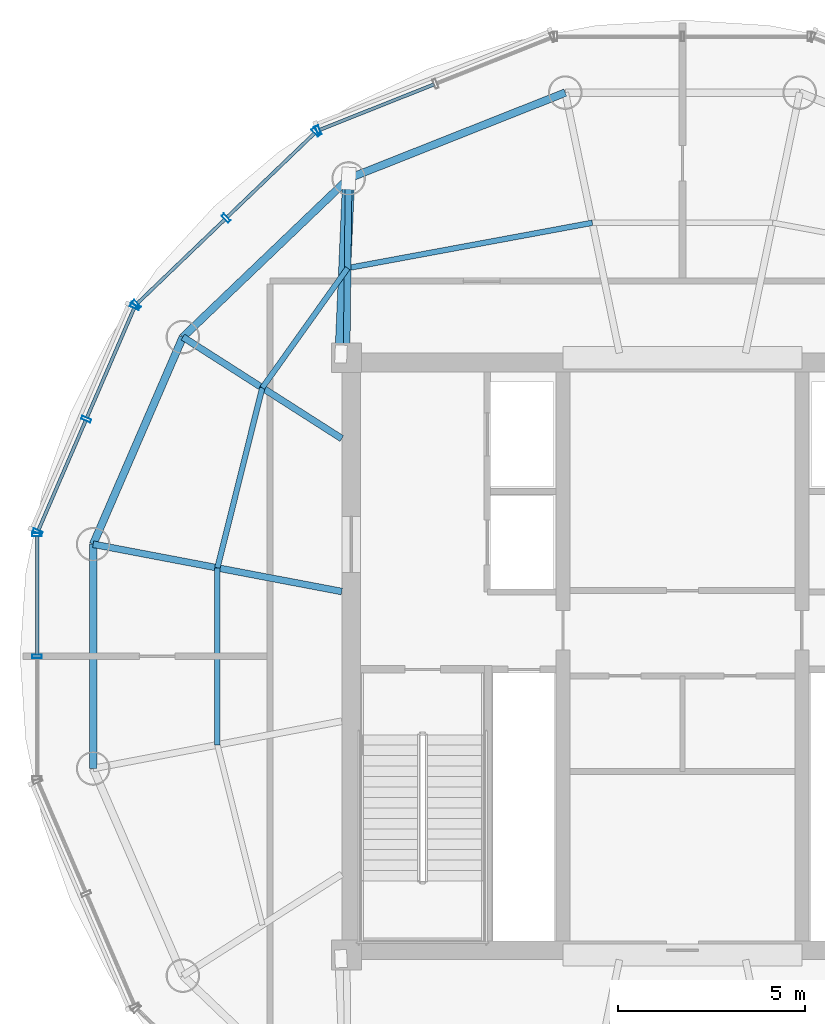
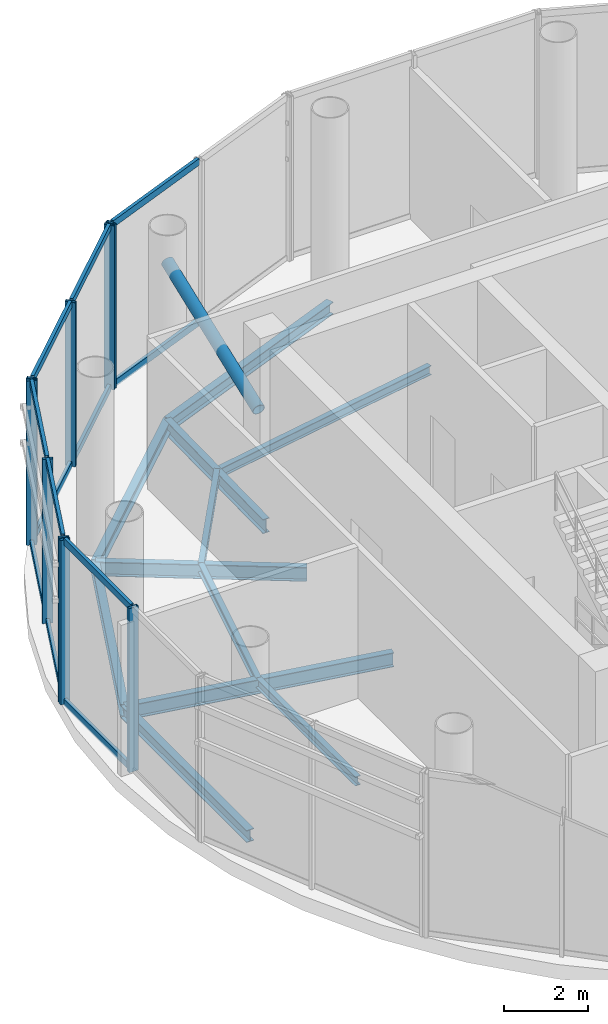
# One storey, part 6 of 15: 22 members, 11 beams, 4 elements without a shape of their own.
"""IFC4 building model written with IfcOpenShell, lengths in metres."""

from ifc_helpers import new_model, si_unit, direction, frame, origin, origin_2d, place, context, subcontext, project, spatial, hollow_rectangle, hollow_circle, i_section, extrude, source, transform, mapped, material, material_profile, profile_set, type_object, element, aggregate, save


model = new_model("IFC4")

# Units and contexts
model_context = context("Model", 3, precision=1e-05, world=origin(), true_north=direction((-0.2419218956, 0.970295726276)))
body_context = subcontext(model_context, "Body", "Model", "MODEL_VIEW")
ifc_project = project(units=[si_unit("LENGTHUNIT", "METRE"), si_unit("AREAUNIT", "SQUARE_METRE"), si_unit("VOLUMEUNIT", "CUBIC_METRE"), si_unit("PLANEANGLEUNIT", "RADIAN"), si_unit("MASSUNIT", "GRAM", prefix="KILO")], contexts=[model_context])

# Site, building, storey
site_placement = place(None, origin())
site = spatial("IfcSite", under=ifc_project, at=site_placement, CompositionType="ELEMENT")
building_placement = place(site_placement, origin())
building = spatial("IfcBuilding", under=site, at=building_placement, Name="Cobrevalo Terracotta Tower", CompositionType="ELEMENT")
storey_placement = place(building_placement, frame((0.0, 0.0, 311.300048828125)))
storey = spatial("IfcBuildingStorey", under=building, at=storey_placement, Name="L81", CompositionType="ELEMENT", Elevation=311.300048828125)

# Beams
ifc_material_1 = material(Name="Steel S355", Category="steel")
ifc_material_profile_1 = material_profile(ifc_material_1, i_section(OverallWidth=0.179931640625, OverallDepth=0.4130859375, WebThickness=0.009765625, FlangeThickness=0.01611328125, at=origin_2d()), Name="W 410x75")
ifc_profile_set_1 = profile_set([ifc_material_profile_1], Name="Steel S355")
beam_type_1 = type_object("IfcBeamType", Name="Structural Beam W 410x75 (Steel S355)", PredefinedType="BEAM", material=ifc_profile_set_1)
beam_1_placement = place(storey_placement, frame((29.055419921875, 39.604736328125, -0.62646484375), z_axis=(-0.01153378561, -0.999933483683, 0.0), x_axis=(0.999933483683, -0.01153378561, 0.0)))
element("IfcBeam", 1, at=beam_1_placement, inside=storey, type_object=beam_type_1, Name="L81 radial floor girder 06", PredefinedType="BEAM", context=body_context, shape_type="SweptSolid", body=[
    extrude(i_section(OverallWidth=0.179931640625, OverallDepth=0.4130859375, WebThickness=0.009765625, FlangeThickness=0.01611328125, at=origin_2d()), origin(), (0.0, 0.0, 1.0), 4.804931640625),
])
beam_2_placement = place(storey_placement, frame((24.61328125, 35.355712890625, -0.62646484375), z_axis=(0.842623166291, -0.538503667239, 0.0), x_axis=(0.538503667239, 0.842623166291, 0.0)))
element("IfcBeam", 2, at=beam_2_placement, inside=storey, type_object=beam_type_1, Name="L81 radial floor girder 07", PredefinedType="BEAM", context=body_context, shape_type="SweptSolid", body=[
    extrude(i_section(OverallWidth=0.179931640625, OverallDepth=0.4130859375, WebThickness=0.009765625, FlangeThickness=0.01611328125, at=origin_2d()), origin(), (0.0, 0.0, 1.0), 5.052001953125),
])
beam_3_placement = place(storey_placement, frame((22.20947265625, 29.804443359375, -0.62646484375), z_axis=(0.982375422254, -0.186918510993, 0.0), x_axis=(0.186918510993, 0.982375422254, 0.0)))
element("IfcBeam", 3, at=beam_3_placement, inside=storey, type_object=beam_type_1, Name="L81 radial floor girder 08", PredefinedType="BEAM", context=body_context, shape_type="SweptSolid", body=[
    extrude(i_section(OverallWidth=0.179931640625, OverallDepth=0.4130859375, WebThickness=0.009765625, FlangeThickness=0.01611328125, at=origin_2d()), origin(), (0.0, 0.0, 1.0), 6.780029296875),
])
ifc_material_profile_2 = material_profile(ifc_material_1, i_section(OverallWidth=0.14794921875, OverallDepth=0.26611328125, WebThickness=0.007568359375, FlangeThickness=0.012939453125, at=origin_2d()), Name="W 250x44.8")
ifc_profile_set_2 = profile_set([ifc_material_profile_2], Name="Steel S355")
beam_type_2 = type_object("IfcBeamType", Name="Structural Joist W 250x44.8 (Steel S355)", PredefinedType="JOIST", material=ifc_profile_set_2)
beam_4_placement = place(storey_placement, frame((35.584228515625, 38.4169921875, -0.552978515625), z_axis=(-0.98327107767, -0.182148257797, 0.0), x_axis=(0.182148257797, -0.98327107767, 0.0)))
element("IfcBeam", 4, at=beam_4_placement, inside=storey, type_object=beam_type_2, Name="L81 circumferential secondary floor joist 05", PredefinedType="JOIST", context=body_context, shape_type="SweptSolid", body=[
    extrude(i_section(OverallWidth=0.14794921875, OverallDepth=0.26611328125, WebThickness=0.007568359375, FlangeThickness=0.012939453125, at=origin_2d()), origin(), (0.0, 0.0, 1.0), 6.668212890625),
])
beam_5_placement = place(storey_placement, frame((29.027587890625, 37.202392578125, -0.552978515625), z_axis=(-0.58045210377, -0.814294391009, 0.0), x_axis=(0.814294391009, -0.58045210377, 0.0)))
element("IfcBeam", 5, at=beam_5_placement, inside=storey, type_object=beam_type_2, Name="L81 circumferential secondary floor joist 06", PredefinedType="JOIST", context=body_context, shape_type="SweptSolid", body=[
    extrude(i_section(OverallWidth=0.14794921875, OverallDepth=0.26611328125, WebThickness=0.007568359375, FlangeThickness=0.012939453125, at=origin_2d()), origin(), (0.0, 0.0, 1.0), 3.938232421875),
])
beam_6_placement = place(storey_placement, frame((26.74169921875, 33.99560546875, -0.552978515625), z_axis=(-0.241715293121, -0.970347214698, 0.0), x_axis=(0.970347214698, -0.241715293121, 0.0)))
element("IfcBeam", 6, at=beam_6_placement, inside=storey, type_object=beam_type_2, Name="L81 circumferential secondary floor joist 07", PredefinedType="JOIST", context=body_context, shape_type="SweptSolid", body=[
    extrude(i_section(OverallWidth=0.14794921875, OverallDepth=0.26611328125, WebThickness=0.007568359375, FlangeThickness=0.012939453125, at=origin_2d()), origin(), (0.0, 0.0, 1.0), 4.972412109375),
])
beam_7_placement = place(storey_placement, frame((25.539794921875, 29.170654296875, -0.552978515625), z_axis=(0.0, -1.0, 0.0), x_axis=(1.0, 0.0, 0.0)))
element("IfcBeam", 7, at=beam_7_placement, inside=storey, type_object=beam_type_2, Name="L81 circumferential secondary floor joist 08", PredefinedType="JOIST", context=body_context, shape_type="SweptSolid", body=[
    extrude(i_section(OverallWidth=0.14794921875, OverallDepth=0.26611328125, WebThickness=0.007568359375, FlangeThickness=0.012939453125, at=origin_2d()), origin(), (0.0, 0.0, 1.0), 4.741455078125),
])
ifc_material_profile_3 = material_profile(ifc_material_1, i_section(OverallWidth=0.205078125, OverallDepth=0.35400390625, WebThickness=0.009521484375, FlangeThickness=0.016845703125, at=origin_2d()), Name="W 360x79")
ifc_profile_set_3 = profile_set([ifc_material_profile_3], Name="Steel S355")
beam_type_3 = type_object("IfcBeamType", Name="Structural Spandrel W 360x79 (Steel S355)", PredefinedType="SPANDREL", material=ifc_profile_set_3)
beam_8_placement = place(storey_placement, frame((34.859130859375, 41.904052734375, -0.59716796875), z_axis=(-0.929696156532, -0.368327376839, 0.0), x_axis=(0.368327376839, -0.929696156532, 0.0)))
element("IfcBeam", 8, at=beam_8_placement, inside=storey, type_object=beam_type_3, Name="L81 perimeter ring spandrel 05", PredefinedType="SPANDREL", context=body_context, shape_type="SweptSolid", body=[
    extrude(i_section(OverallWidth=0.205078125, OverallDepth=0.35400390625, WebThickness=0.009521484375, FlangeThickness=0.016845703125, at=origin_2d()), origin(), (0.0, 0.0, 1.0), 6.24267578125),
])
beam_9_placement = place(storey_placement, frame((29.055419921875, 39.604736328125, -0.59716796875), z_axis=(-0.72264013205, -0.691224449475, 0.0), x_axis=(0.691224449475, -0.72264013205, 0.0)))
element("IfcBeam", 9, at=beam_9_placement, inside=storey, type_object=beam_type_3, Name="L81 perimeter ring spandrel 06", PredefinedType="SPANDREL", context=body_context, shape_type="SweptSolid", body=[
    extrude(i_section(OverallWidth=0.205078125, OverallDepth=0.35400390625, WebThickness=0.009521484375, FlangeThickness=0.016845703125, at=origin_2d()), origin(), (0.0, 0.0, 1.0), 6.147216796875),
])
beam_10_placement = place(storey_placement, frame((24.61328125, 35.355712890625, -0.59716796875), z_axis=(-0.397365049134, -0.917660622304, 0.0), x_axis=(0.917660622304, -0.397365049134, 0.0)))
element("IfcBeam", 10, at=beam_10_placement, inside=storey, type_object=beam_type_3, Name="L81 perimeter ring spandrel 07", PredefinedType="SPANDREL", context=body_context, shape_type="SweptSolid", body=[
    extrude(i_section(OverallWidth=0.205078125, OverallDepth=0.35400390625, WebThickness=0.009521484375, FlangeThickness=0.016845703125, at=origin_2d()), origin(), (0.0, 0.0, 1.0), 6.04931640625),
])
beam_11_placement = place(storey_placement, frame((22.20947265625, 29.804443359375, -0.59716796875), z_axis=(0.0, -1.0, 0.0), x_axis=(1.0, 0.0, 0.0)))
element("IfcBeam", 11, at=beam_11_placement, inside=storey, type_object=beam_type_3, Name="L81 perimeter ring spandrel 08", PredefinedType="SPANDREL", context=body_context, shape_type="SweptSolid", body=[
    extrude(i_section(OverallWidth=0.205078125, OverallDepth=0.35400390625, WebThickness=0.009521484375, FlangeThickness=0.016845703125, at=origin_2d()), origin(), (0.0, 0.0, 1.0), 6.0087890625),
])

# Member
ifc_material_profile_4 = material_profile(ifc_material_1, hollow_circle(Radius=0.162109375, WallThickness=0.013916015625, at=origin_2d()), Name="CHS 324x14")
ifc_profile_set_4 = profile_set([ifc_material_profile_4], Name="Steel S355")
member_type_1 = type_object("IfcMemberType", Name="Steel Brace CHS 324x14 (Steel S355)", PredefinedType="BRACE", material=ifc_profile_set_4)
shared_shape_1 = source(origin(), body_context, "Body", "SweptSolid", [
    extrude(hollow_circle(Radius=0.162109375, WallThickness=0.013916015625, at=origin_2d()), origin(), (0.0, 0.0, 1.0), 4.9072265625),
])
member_1_placement = place(storey_placement, frame((28.85009765625, 34.89990234375, 2.75), z_axis=(0.041840080102, 0.958739814085, 0.281189218474), x_axis=(-0.999049102523, 0.043599205813, 0.0)))
element("IfcMember", 12, at=member_1_placement, inside=storey, type_object=member_type_1, Name="L81 CROWN FRAME radial brace 02", PredefinedType="BRACE", context=body_context, shape_type="MappedRepresentation", body=[
    mapped(shared_shape_1, transform((0.0, 0.0, 0.0), scale=1.0)),
])

# Curtain wall, members
ifc_material_2 = material(Name="Anodized aluminium", Category="aluminium")
curtain_wall_type = type_object("IfcCurtainWallType", Name="Faceted glass-point crown structural glazing system CW-CR", PredefinedType="NOTDEFINED", material=ifc_material_2)
curtain_wall_1_placement = place(storey_placement, origin())
curtain_wall_1 = element("IfcCurtainWall", 13, at=curtain_wall_1_placement, inside=storey, type_object=curtain_wall_type, Name="L81 curtain wall CW-CRN-L81-S07", PredefinedType="NOTDEFINED")
ifc_material_profile_5 = material_profile(ifc_material_2, hollow_rectangle(XDim=0.090087890625, YDim=0.195068359375, WallThickness=0.005615234375, at=origin_2d()), Name="CWT 90x195")
ifc_profile_set_5 = profile_set([ifc_material_profile_5], Name="Anodized aluminium")
member_type_2 = type_object("IfcMemberType", Name="Crown structural aluminium transom 90x195", PredefinedType="USERDEFINED", material=ifc_profile_set_5)
shared_shape_2 = source(origin(), body_context, "Body", "SweptSolid", [
    extrude(hollow_rectangle(XDim=0.090087890625, YDim=0.195068359375, WallThickness=0.005615234375, at=origin_2d()), origin(), (0.0, 0.0, 1.0), 3.203369140625),
])
member_2_placement = place(storey_placement, frame((22.009033203125, 33.11767578125, 0.050048828125), z_axis=(-0.396015512265, -0.918243820587, 0.0), x_axis=(0.918243820587, -0.396015512265, 0.0)))
member_2 = element("IfcMember", 14, at=member_2_placement, type_object=member_type_2, Name="CW-CRN-L81-S07 transom B02-T1", ObjectType="TRANSOM", PredefinedType="USERDEFINED", context=body_context, shape_type="MappedRepresentation", body=[
    mapped(shared_shape_2, transform((0.0, 0.0, 0.0), scale=1.0)),
])
member_3_placement = place(storey_placement, frame((22.009033203125, 33.11767578125, 4.72998046875), z_axis=(-0.396015512265, -0.918243820587, 0.0), x_axis=(0.918243820587, -0.396015512265, 0.0)))
member_3 = element("IfcMember", 15, at=member_3_placement, type_object=member_type_2, Name="CW-CRN-L81-S07 transom B02-T2", ObjectType="TRANSOM", PredefinedType="USERDEFINED", context=body_context, shape_type="MappedRepresentation", body=[
    mapped(shared_shape_2, transform((0.0, 0.0, 0.0), scale=1.0)),
])
shared_shape_3 = source(origin(), body_context, "Body", "SweptSolid", [
    extrude(hollow_rectangle(XDim=0.090087890625, YDim=0.195068359375, WallThickness=0.005615234375, at=origin_2d()), origin(), (0.0, 0.0, 1.0), 3.203125),
])
member_4_placement = place(storey_placement, frame((23.3095703125, 36.13232421875, 0.050048828125), z_axis=(-0.396107491553, -0.918204146765, 0.0), x_axis=(0.918204146765, -0.396107491553, 0.0)))
member_4 = element("IfcMember", 16, at=member_4_placement, type_object=member_type_2, Name="CW-CRN-L81-S07 transom B01-T1", ObjectType="TRANSOM", PredefinedType="USERDEFINED", context=body_context, shape_type="MappedRepresentation", body=[
    mapped(shared_shape_3, transform((0.0, 0.0, 0.0), scale=1.0)),
])
member_5_placement = place(storey_placement, frame((23.3095703125, 36.13232421875, 4.72998046875), z_axis=(-0.396107491553, -0.918204146765, 0.0), x_axis=(0.918204146765, -0.396107491553, 0.0)))
member_5 = element("IfcMember", 17, at=member_5_placement, type_object=member_type_2, Name="CW-CRN-L81-S07 transom B01-T2", ObjectType="TRANSOM", PredefinedType="USERDEFINED", context=body_context, shape_type="MappedRepresentation", body=[
    mapped(shared_shape_3, transform((0.0, 0.0, 0.0), scale=1.0)),
])

curtain_wall_2_placement = place(storey_placement, origin())
curtain_wall_2 = element("IfcCurtainWall", 18, at=curtain_wall_2_placement, inside=storey, type_object=curtain_wall_type, Name="L81 curtain wall CW-CRN-L81-S06", PredefinedType="NOTDEFINED")
shared_shape_4 = source(origin(), body_context, "Body", "SweptSolid", [
    extrude(hollow_rectangle(XDim=0.090087890625, YDim=0.195068359375, WallThickness=0.005615234375, at=origin_2d()), origin(), (0.0, 0.0, 1.0), 3.251953125),
])
member_6_placement = place(storey_placement, frame((28.147705078125, 40.8212890625, 0.050048828125), z_axis=(-0.721337809763, -0.692583398737, 0.0), x_axis=(0.692583398737, -0.721337809763, 0.0)))
member_6 = element("IfcMember", 19, at=member_6_placement, type_object=member_type_2, Name="CW-CRN-L81-S06 transom B01-T1", ObjectType="TRANSOM", PredefinedType="USERDEFINED", context=body_context, shape_type="MappedRepresentation", body=[
    mapped(shared_shape_4, transform((0.0, 0.0, 0.0), scale=1.0)),
])
member_7_placement = place(storey_placement, frame((28.147705078125, 40.8212890625, 4.72998046875), z_axis=(-0.721337809763, -0.692583398737, 0.0), x_axis=(0.692583398737, -0.721337809763, 0.0)))
member_7 = element("IfcMember", 20, at=member_7_placement, type_object=member_type_2, Name="CW-CRN-L81-S06 transom B01-T2", ObjectType="TRANSOM", PredefinedType="USERDEFINED", context=body_context, shape_type="MappedRepresentation", body=[
    mapped(shared_shape_4, transform((0.0, 0.0, 0.0), scale=1.0)),
])
member_8_placement = place(storey_placement, frame((25.744384765625, 38.513671875, 0.050048828125), z_axis=(-0.721264285966, -0.692659966932, 0.0), x_axis=(0.692659966932, -0.721264285966, 0.0)))
member_8 = element("IfcMember", 21, at=member_8_placement, type_object=member_type_2, Name="CW-CRN-L81-S06 transom B02-T1", ObjectType="TRANSOM", PredefinedType="USERDEFINED", context=body_context, shape_type="MappedRepresentation", body=[
    mapped(shared_shape_4, transform((0.0, 0.0, 0.0), scale=1.0)),
])
member_9_placement = place(storey_placement, frame((25.744384765625, 38.513671875, 4.72998046875), z_axis=(-0.721264285966, -0.692659966932, 0.0), x_axis=(0.692659966932, -0.721264285966, 0.0)))
member_9 = element("IfcMember", 22, at=member_9_placement, type_object=member_type_2, Name="CW-CRN-L81-S06 transom B02-T2", ObjectType="TRANSOM", PredefinedType="USERDEFINED", context=body_context, shape_type="MappedRepresentation", body=[
    mapped(shared_shape_4, transform((0.0, 0.0, 0.0), scale=1.0)),
])

curtain_wall_3_placement = place(storey_placement, origin())
curtain_wall_3 = element("IfcCurtainWall", 23, at=curtain_wall_3_placement, inside=storey, type_object=curtain_wall_type, Name="L81 curtain wall CW-CRN-L81-S05", PredefinedType="NOTDEFINED")
shared_shape_5 = source(origin(), body_context, "Body", "SweptSolid", [
    extrude(hollow_rectangle(XDim=0.090087890625, YDim=0.195068359375, WallThickness=0.005615234375, at=origin_2d()), origin(), (0.0, 0.0, 1.0), 3.2998046875),
])
member_10_placement = place(storey_placement, frame((31.345703125, 42.1259765625, 0.050048828125), z_axis=(-0.92917915641, -0.369629673177, 0.0), x_axis=(0.369629673177, -0.92917915641, 0.0)))
member_10 = element("IfcMember", 24, at=member_10_placement, type_object=member_type_2, Name="CW-CRN-L81-S05 transom B02-T1", ObjectType="TRANSOM", PredefinedType="USERDEFINED", context=body_context, shape_type="MappedRepresentation", body=[
    mapped(shared_shape_5, transform((0.0, 0.0, 0.0), scale=1.0)),
])
member_11_placement = place(storey_placement, frame((31.345703125, 42.1259765625, 4.72998046875), z_axis=(-0.92917915641, -0.369629673177, 0.0), x_axis=(0.369629673177, -0.92917915641, 0.0)))
member_11 = element("IfcMember", 25, at=member_11_placement, type_object=member_type_2, Name="CW-CRN-L81-S05 transom B02-T2", ObjectType="TRANSOM", PredefinedType="USERDEFINED", context=body_context, shape_type="MappedRepresentation", body=[
    mapped(shared_shape_5, transform((0.0, 0.0, 0.0), scale=1.0)),
])

curtain_wall_4_placement = place(storey_placement, origin())
curtain_wall_4 = element("IfcCurtainWall", 26, at=curtain_wall_4_placement, inside=storey, type_object=curtain_wall_type, Name="L81 curtain wall CW-CRN-L81-S08", PredefinedType="NOTDEFINED")
shared_shape_6 = source(origin(), body_context, "Body", "SweptSolid", [
    extrude(hollow_rectangle(XDim=0.090087890625, YDim=0.195068359375, WallThickness=0.005615234375, at=origin_2d()), origin(), (0.0, 0.0, 1.0), 3.182861328125),
])
member_12_placement = place(storey_placement, frame((20.708740234375, 30.02294921875, 0.050048828125), z_axis=(0.0, -1.0, 0.0), x_axis=(1.0, 0.0, 0.0)))
member_12 = element("IfcMember", 27, at=member_12_placement, type_object=member_type_2, Name="CW-CRN-L81-S08 transom B01-T1", ObjectType="TRANSOM", PredefinedType="USERDEFINED", context=body_context, shape_type="MappedRepresentation", body=[
    mapped(shared_shape_6, transform((0.0, 0.0, 0.0), scale=1.0)),
])
member_13_placement = place(storey_placement, frame((20.708740234375, 30.02294921875, 4.72998046875), z_axis=(0.0, -1.0, 0.0), x_axis=(1.0, 0.0, 0.0)))
member_13 = element("IfcMember", 28, at=member_13_placement, type_object=member_type_2, Name="CW-CRN-L81-S08 transom B01-T2", ObjectType="TRANSOM", PredefinedType="USERDEFINED", context=body_context, shape_type="MappedRepresentation", body=[
    mapped(shared_shape_6, transform((0.0, 0.0, 0.0), scale=1.0)),
])

# Member
ifc_material_profile_6 = material_profile(ifc_material_2, hollow_rectangle(XDim=0.090087890625, YDim=0.260009765625, WallThickness=0.006103515625, at=origin_2d()), Name="CWM 90x260")
ifc_profile_set_6 = profile_set([ifc_material_profile_6], Name="Anodized aluminium")
member_type_3 = type_object("IfcMemberType", Name="Crown structural glass mullion 90x260", PredefinedType="MULLION", material=ifc_profile_set_6)
shared_shape_7 = source(origin(), body_context, "Body", "SweptSolid", [
    extrude(hollow_rectangle(XDim=0.090087890625, YDim=0.260009765625, WallThickness=0.006103515625, at=origin_2d()), origin(), (0.0, 0.0, 1.0), 4.780029296875),
])
member_14_placement = place(storey_placement, frame((28.242431640625, 40.8916015625, 0.0), z_axis=(0.0, 0.0, 1.0), x_axis=(-0.929190639756, -0.36960080491, 0.0)))
member_14 = element("IfcMember", 29, at=member_14_placement, type_object=member_type_3, Name="CW-CRN-L81-S05 vertical mullion 03", PredefinedType="MULLION", context=body_context, shape_type="MappedRepresentation", body=[
    mapped(shared_shape_7, transform((0.0, 0.0, 0.0), scale=1.0)),
])

aggregate(curtain_wall_3, [member_14, member_10, member_11])

member_15_placement = place(storey_placement, frame((28.176513671875, 40.84912109375, 0.0), z_axis=(0.0, 0.0, 1.0), x_axis=(-0.721276845158, -0.692646888854, 0.0)))
member_15 = element("IfcMember", 30, at=member_15_placement, type_object=member_type_3, Name="CW-CRN-L81-S06 vertical mullion 01", PredefinedType="MULLION", context=body_context, shape_type="MappedRepresentation", body=[
    mapped(shared_shape_7, transform((0.0, 0.0, 0.0), scale=1.0)),
])

member_16_placement = place(storey_placement, frame((25.773193359375, 38.541259765625, 0.0), z_axis=(0.0, 0.0, 1.0), x_axis=(-0.721276845158, -0.692646888854, 0.0)))
member_16 = element("IfcMember", 31, at=member_16_placement, type_object=member_type_3, Name="CW-CRN-L81-S06 vertical mullion 02", PredefinedType="MULLION", context=body_context, shape_type="MappedRepresentation", body=[
    mapped(shared_shape_7, transform((0.0, 0.0, 0.0), scale=1.0)),
])

member_17_placement = place(storey_placement, frame((23.3701171875, 36.2333984375, 0.0), z_axis=(0.0, 0.0, 1.0), x_axis=(-0.721276845158, -0.692646888854, 0.0)))
member_17 = element("IfcMember", 32, at=member_17_placement, type_object=member_type_3, Name="CW-CRN-L81-S06 vertical mullion 03", PredefinedType="MULLION", context=body_context, shape_type="MappedRepresentation", body=[
    mapped(shared_shape_7, transform((0.0, 0.0, 0.0), scale=1.0)),
])

aggregate(curtain_wall_2, [member_15, member_16, member_17, member_6, member_7, member_8, member_9])

member_18_placement = place(storey_placement, frame((23.325439453125, 36.169189453125, 0.0), z_axis=(0.0, 0.0, 1.0), x_axis=(-0.396058398073, -0.918225323826, 0.0)))
member_18 = element("IfcMember", 33, at=member_18_placement, type_object=member_type_3, Name="CW-CRN-L81-S07 vertical mullion 01", PredefinedType="MULLION", context=body_context, shape_type="MappedRepresentation", body=[
    mapped(shared_shape_7, transform((0.0, 0.0, 0.0), scale=1.0)),
])

member_19_placement = place(storey_placement, frame((22.02490234375, 33.154296875, 0.0), z_axis=(0.0, 0.0, 1.0), x_axis=(-0.396058398073, -0.918225323826, 0.0)))
member_19 = element("IfcMember", 34, at=member_19_placement, type_object=member_type_3, Name="CW-CRN-L81-S07 vertical mullion 02", PredefinedType="MULLION", context=body_context, shape_type="MappedRepresentation", body=[
    mapped(shared_shape_7, transform((0.0, 0.0, 0.0), scale=1.0)),
])

member_20_placement = place(storey_placement, frame((20.724609375, 30.1396484375, 0.0), z_axis=(0.0, 0.0, 1.0), x_axis=(-0.396058398073, -0.918225323826, 0.0)))
member_20 = element("IfcMember", 35, at=member_20_placement, type_object=member_type_3, Name="CW-CRN-L81-S07 vertical mullion 03", PredefinedType="MULLION", context=body_context, shape_type="MappedRepresentation", body=[
    mapped(shared_shape_7, transform((0.0, 0.0, 0.0), scale=1.0)),
])

aggregate(curtain_wall_1, [member_18, member_19, member_20, member_4, member_5, member_2, member_3])

member_21_placement = place(storey_placement, frame((20.708740234375, 30.06298828125, 0.0), z_axis=(0.0, 0.0, 1.0), x_axis=(0.0, -1.0, 0.0)))
member_21 = element("IfcMember", 36, at=member_21_placement, type_object=member_type_3, Name="CW-CRN-L81-S08 vertical mullion 01", PredefinedType="MULLION", context=body_context, shape_type="MappedRepresentation", body=[
    mapped(shared_shape_7, transform((0.0, 0.0, 0.0), scale=1.0)),
])

member_22_placement = place(storey_placement, frame((20.708740234375, 26.800048828125, 0.0), z_axis=(0.0, 0.0, 1.0), x_axis=(0.0, -1.0, 0.0)))
member_22 = element("IfcMember", 37, at=member_22_placement, type_object=member_type_3, Name="CW-CRN-L81-S08 vertical mullion 02", PredefinedType="MULLION", context=body_context, shape_type="MappedRepresentation", body=[
    mapped(shared_shape_7, transform((0.0, 0.0, 0.0), scale=1.0)),
])

aggregate(curtain_wall_4, [member_21, member_22, member_12, member_13])

save(model, "model.ifc")
